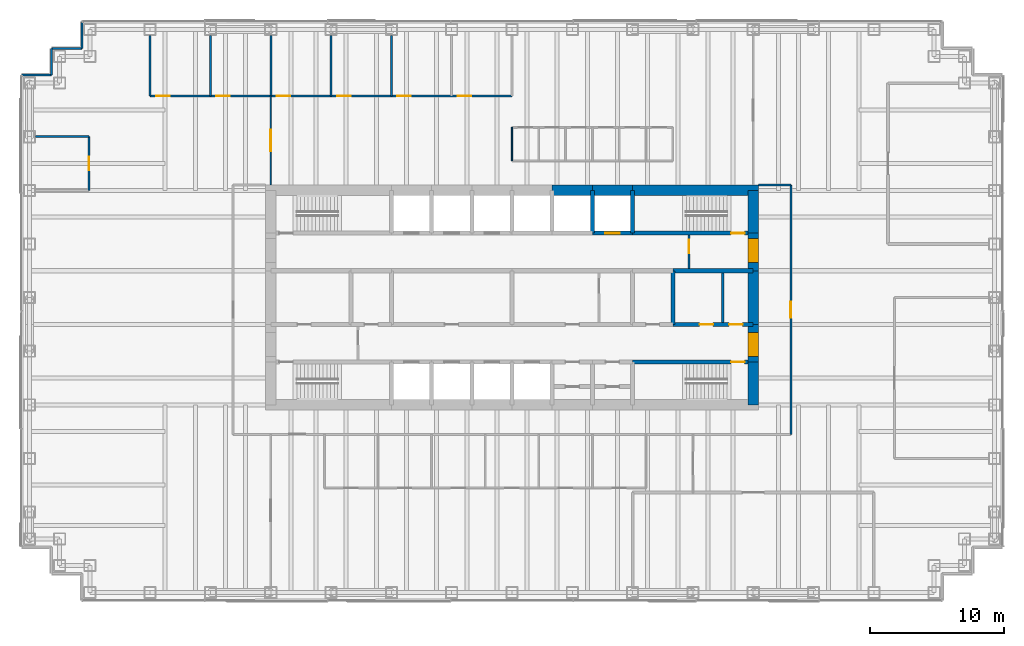
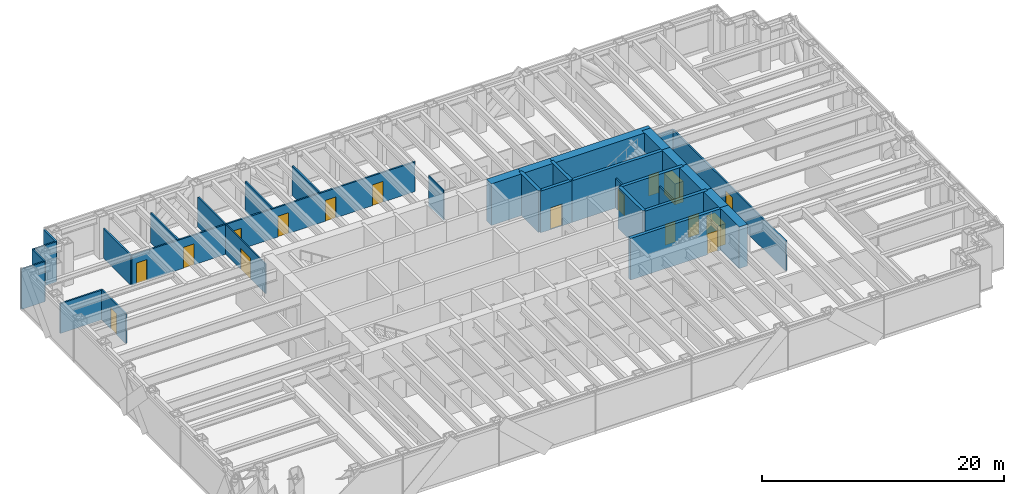
# One storey, part 12 of 14: 34 walls, 17 doors, 17 openings.
"""IFC4 building model written with IfcOpenShell, lengths in metres."""

import ifcopenshell
import ifcopenshell.guid

model = None  # the IFC model being written
_history = None  # IfcOwnerHistory: only IFC2X3 demands one
_inside = {}  # id of a spatial element -> (the spatial element, [elements in it])
_under = {}  # id of a project, library or spatial element -> (it, [spatial elements below it])
_declared = {}  # id of a project -> (the project, [libraries it declares])
_typed = {}  # id of a type object -> (the type object, [elements of that type])
_made_of = {}  # id of a material, layer set ... -> (it, [elements and type objects made of it])


def new_model(schema):
    """Start an empty IFC model of exactly this schema.

    Asked for "IFC4X3", IfcOpenShell would pick the latest addendum, in which some entities
    have other attributes; the version numbers below select the first issue.
    IFC2X3 requires an IfcOwnerHistory on every rooted entity: one is made here for all.
    """
    global model, _history
    if schema == "IFC4X3":
        model = ifcopenshell.file(schema_version=(4, 3, 0, 0))
    else:
        model = ifcopenshell.file(schema=schema)
    _inside.clear()
    _under.clear()
    _declared.clear()
    _typed.clear()
    _made_of.clear()
    _history = None
    if model.schema == "IFC2X3":
        org = make("IfcOrganization", Name="unknown")
        user = make(
            "IfcPersonAndOrganization",
            ThePerson=make("IfcPerson", FamilyName="unknown"),
            TheOrganization=org,
        )
        app = make(
            "IfcApplication",
            ApplicationDeveloper=org,
            Version="unknown",
            ApplicationFullName="unknown",
            ApplicationIdentifier="unknown",
        )
        _history = make(
            "IfcOwnerHistory",
            OwningUser=user,
            OwningApplication=app,
            ChangeAction="ADDED",
            CreationDate=0,
        )
    return model


def make(cls, **values):
    """One entity of the class cls with the attributes given. An attribute that is None is left unset."""
    return model.create_entity(
        cls, **{name: value for name, value in values.items() if value is not None}
    )


def rooted(cls, **values):
    """An entity with a GlobalId (a new one), such as an element, a storey or a relation."""
    return make(cls, GlobalId=ifcopenshell.guid.new(), OwnerHistory=_history, **values)


def si_unit(unit_type, name, prefix=None):
    """IfcSIUnit, for example si_unit("LENGTHUNIT", "METRE", prefix="MILLI")."""
    return make("IfcSIUnit", UnitType=unit_type, Prefix=prefix, Name=name)


def assignment(units):
    """IfcUnitAssignment: the units of a project."""
    return None if units is None else make("IfcUnitAssignment", Units=units)


def point(xyz):
    """IfcCartesianPoint."""
    return None if xyz is None else make("IfcCartesianPoint", Coordinates=xyz)


def direction(xyz):
    """IfcDirection."""
    return None if xyz is None else make("IfcDirection", DirectionRatios=xyz)


def frame(location, z_axis=None, x_axis=None):
    """IfcAxis2Placement3D, a coordinate frame: its origin and axes. An axis left out is left unset."""
    return make(
        "IfcAxis2Placement3D",
        Location=point(location),
        Axis=direction(z_axis),
        RefDirection=direction(x_axis),
    )


def frame_2d(location, x_axis=None):
    """IfcAxis2Placement2D, a coordinate frame in the plane: its origin and x axis."""
    return make(
        "IfcAxis2Placement2D", Location=point(location), RefDirection=direction(x_axis)
    )


def origin():
    """The frame at (0, 0, 0) with its axes left unset."""
    return frame((0.0, 0.0, 0.0))


def place(relative_to, where):
    """IfcLocalPlacement: puts the frame where relative to a parent placement (None: the world)."""
    return make(
        "IfcLocalPlacement", PlacementRelTo=relative_to, RelativePlacement=where
    )


def context(
    kind, dimensions, precision=None, world=None, true_north=None, identifier=None
):
    """IfcGeometricRepresentationContext, for example the 3D "Model" context."""
    return make(
        "IfcGeometricRepresentationContext",
        ContextIdentifier=identifier,
        ContextType=kind,
        CoordinateSpaceDimension=dimensions,
        Precision=precision,
        WorldCoordinateSystem=world,
        TrueNorth=true_north,
    )


def subcontext(parent, identifier, kind, view, scale=None):
    """IfcGeometricRepresentationSubContext, for example "Body" below "Model"."""
    return make(
        "IfcGeometricRepresentationSubContext",
        ContextIdentifier=identifier,
        ContextType=kind,
        ParentContext=parent,
        TargetScale=scale,
        TargetView=view,
    )


def project(units=None, contexts=None):
    """IfcProject with its units and contexts."""
    return rooted(
        "IfcProject",
        Name="project",
        RepresentationContexts=contexts,
        UnitsInContext=assignment(units),
    )


def spatial(cls, under=None, at=None, **own):
    """A site, building, storey or space (cls), placed at a placement, below another one or the project."""
    s = rooted(cls, ObjectPlacement=at, **own)
    if under is not None:
        _under.setdefault(under.id(), (under, []))[1].append(s)
    return s


def profile(cls, at=None, kind="AREA", **sizes):
    """A parametric profile (cls). Its sizes go by their IFC names, for example OverallWidth=200.0."""
    return make(cls, ProfileType=kind, Position=at, **sizes)


def rectangle(**sizes):
    """IfcRectangleProfileDef."""
    return profile("IfcRectangleProfileDef", **sizes)


def extrude(swept, where, along, depth):
    """IfcExtrudedAreaSolid: the profile swept, set in the frame where, extruded along a direction by depth."""
    return make(
        "IfcExtrudedAreaSolid",
        SweptArea=swept,
        Position=where,
        ExtrudedDirection=direction(along),
        Depth=depth,
    )


def shape(context_of_items, identifier, shape_type, items):
    """IfcShapeRepresentation: the items that make up one representation, for example the "Body"."""
    return make(
        "IfcShapeRepresentation",
        ContextOfItems=context_of_items,
        RepresentationIdentifier=identifier,
        RepresentationType=shape_type,
        Items=items,
    )


def material(Name=None, Category=None):
    """IfcMaterial."""
    return make("IfcMaterial", Name=Name, Category=Category)


def layer(
    of_material, thickness, ventilated=None, Name=None, Category=None, Priority=None
):
    """IfcMaterialLayer: one layer of a wall or slab, of a material (None: an air gap)."""
    return make(
        "IfcMaterialLayer",
        Material=of_material,
        LayerThickness=thickness,
        IsVentilated=ventilated,
        Name=Name,
        Category=Category,
        Priority=Priority,
    )


def layer_set(layers, Name=None):
    """IfcMaterialLayerSet."""
    return make("IfcMaterialLayerSet", MaterialLayers=layers, LayerSetName=Name)


def made_of(thing, what):
    """Note that an element or type object is made of a material, layer set ...; save() writes the relation."""
    if what is not None:
        _made_of.setdefault(what.id(), (what, []))[1].append(thing)
    return thing


def type_object(cls, material=None, **own):
    """A type object (cls), such as IfcWallType, which elements share."""
    return made_of(rooted(cls, **own), material)


def element(
    cls,
    number,
    at=None,
    inside=None,
    cuts=None,
    type_object=None,
    material=None,
    context=None,
    identifier="Body",
    shape_type=None,
    held_by="IfcProductDefinitionShape",
    body=None,
    shapes=None,
    **own,
):
    """One element of the class cls, such as IfcWall. Its Tag is "e" and its number.

    at: its placement. inside: the storey or other place that contains it. cuts: it is an
    opening in that element (IfcRelVoidsElement). A single representation is given by context,
    identifier, shape_type and body (its items); several are given by shapes. held_by: the class
    of the entity that holds the representations. save() writes the other relations.
    """
    e = rooted(cls, Tag="e%d" % number, ObjectPlacement=at, **own)
    if body is not None:
        shapes = [shape(context, identifier, shape_type, body)]
    if shapes is not None:
        e.Representation = make(held_by, Representations=shapes)
    if inside is not None:
        _inside.setdefault(inside.id(), (inside, []))[1].append(e)
    if cuts is not None:
        rooted(
            "IfcRelVoidsElement", RelatingBuildingElement=cuts, RelatedOpeningElement=e
        )
    if type_object is not None:
        _typed.setdefault(type_object.id(), (type_object, []))[1].append(e)
    return made_of(e, material)


def fill(opening, filler):
    """IfcRelFillsElement: the door or window that sits in an opening."""
    return rooted(
        "IfcRelFillsElement",
        RelatingOpeningElement=opening,
        RelatedBuildingElement=filler,
    )


def aggregate(whole, parts):
    """IfcRelAggregates: a whole, such as a stair, and the parts it consists of."""
    return rooted("IfcRelAggregates", RelatingObject=whole, RelatedObjects=parts)


def save(model, path):
    """Write the relations noted so far, then the file.

    IfcRelAggregates (storeys below a building ...), IfcRelContainedInSpatialStructure (elements
    in a storey), IfcRelDefinesByType, IfcRelAssociatesMaterial and IfcRelDeclares: one each for
    every whole, place, type object, material and project.
    """
    for whole, parts in _under.values():
        aggregate(whole, parts)
    for where, things in _inside.values():
        rooted(
            "IfcRelContainedInSpatialStructure",
            RelatedElements=things,
            RelatingStructure=where,
        )
    for kind, things in _typed.values():
        rooted("IfcRelDefinesByType", RelatedObjects=things, RelatingType=kind)
    for what, things in _made_of.values():
        rooted("IfcRelAssociatesMaterial", RelatedObjects=things, RelatingMaterial=what)
    for by, libraries in _declared.values():
        rooted("IfcRelDeclares", RelatingContext=by, RelatedDefinitions=libraries)
    model.write(path)


model = new_model("IFC4")

# Units and contexts
model_context = context("Model", 3, precision=1e-05, world=origin(), true_north=direction((0.0, 1.0)))
body_context = subcontext(model_context, "Body", "Model", "MODEL_VIEW")
ifc_project = project(units=[si_unit("LENGTHUNIT", "METRE"), si_unit("AREAUNIT", "SQUARE_METRE"), si_unit("VOLUMEUNIT", "CUBIC_METRE"), si_unit("PLANEANGLEUNIT", "RADIAN"), si_unit("MASSUNIT", "GRAM", prefix="KILO")], contexts=[model_context])

# Site, building, storey
site_placement = place(None, origin())
site = spatial("IfcSite", under=ifc_project, at=site_placement, CompositionType="ELEMENT")
building_placement = place(site_placement, origin())
building = spatial("IfcBuilding", under=site, at=building_placement, Name="Rheinbord Bourse Tower", CompositionType="ELEMENT")
storey_placement = place(building_placement, frame((0.0, 0.0, 253.0)))
storey = spatial("IfcBuildingStorey", under=building, at=storey_placement, Name="L57", CompositionType="ELEMENT", Elevation=253.0)

# Wall, opening, door
ifc_material_1 = material(Name="Concrete C50/60", Category="concrete")
ifc_layer_1 = layer(ifc_material_1, 0.300048828125)
ifc_layer_set_1 = layer_set([ifc_layer_1], Name="CORE INNER WALL 300")
wall_type_1 = type_object("IfcWallType", Name="CORE INNER WALL 300", PredefinedType="SOLIDWALL", material=ifc_layer_set_1)
wall_1_placement = place(storey_placement, frame((45.0, 19.199951171875, 0.0), z_axis=(0.0, 0.0, 1.0), x_axis=(1.0, 0.0, 0.0)))
wall_1 = element("IfcWall", 1, at=wall_1_placement, inside=storey, type_object=wall_type_1, Name="Core wall A8 L57", PredefinedType="SOLIDWALL", context=body_context, shape_type="SweptSolid", body=[
    extrude(rectangle(XDim=9.0, YDim=0.300048828125, at=frame_2d((4.5, 0.0))), origin(), (0.0, 0.0, 1.0), 4.199951171875),
])
opening_1_placement = place(wall_1_placement, frame((7.35009765625, 0.0, 0.0)))
opening_1 = element("IfcOpeningElement", 2, at=opening_1_placement, cuts=wall_1, Name="Opening 5730", PredefinedType="OPENING", context=body_context, shape_type="SweptSolid", body=[
    extrude(rectangle(XDim=1.0, YDim=2.10009765625, at=frame_2d((0.5, 1.050048828125))), frame((0.0, 0.159912109375, 0.0), z_axis=(0.0, -1.0, 0.0), x_axis=(1.0, 0.0, 0.0)), (0.0, 0.0, 1.0), 0.320068359375),
])
ifc_material_2 = material(Name="Steel door", Category="steel")
door_type_1 = type_object("IfcDoorType", Name="DOOR 1000 EI30", OperationType="SINGLE_SWING_LEFT", PredefinedType="DOOR", material=ifc_material_2)
door_1_placement = place(opening_1_placement, origin())
door_1 = element("IfcDoor", 3, at=door_1_placement, inside=storey, type_object=door_type_1, Name="Stair door ST3 L57", OperationType="SINGLE_SWING_RIGHT", OverallHeight=2.10009765625, OverallWidth=1.0, PredefinedType="DOOR", context=body_context, shape_type="SweptSolid", body=[
    extrude(rectangle(XDim=1.0, YDim=2.10009765625, at=frame_2d((0.5, 1.050048828125))), frame((0.0, 0.02490234375, 0.0), z_axis=(0.0, -1.0, 0.0), x_axis=(1.0, 0.0, 0.0)), (0.0, 0.0, 1.0), 0.050048828125),
])
fill(opening_1, door_1)

wall_2_placement = place(storey_placement, frame((42.0, 28.800048828125, 0.0), z_axis=(0.0, 0.0, 1.0), x_axis=(1.0, 0.0, 0.0)))
wall_2 = element("IfcWall", 4, at=wall_2_placement, inside=storey, type_object=wall_type_1, Name="Core wall B7 L57", PredefinedType="SOLIDWALL", context=body_context, shape_type="SweptSolid", body=[
    extrude(rectangle(XDim=3.0, YDim=0.300048828125, at=frame_2d((1.5, 0.0))), origin(), (0.0, 0.0, 1.0), 4.199951171875),
])
opening_2_placement = place(wall_2_placement, frame((0.949951171875, 0.0, 0.0)))
opening_2 = element("IfcOpeningElement", 5, at=opening_2_placement, cuts=wall_2, Name="Opening FL2", PredefinedType="OPENING", context=body_context, shape_type="SweptSolid", body=[
    extrude(rectangle(XDim=1.10009765625, YDim=2.199951171875, at=frame_2d((0.550048828125, 1.10009765625))), frame((0.0, 0.159912109375, 0.0), z_axis=(0.0, -1.0, 0.0), x_axis=(1.0, 0.0, 0.0)), (0.0, 0.0, 1.0), 0.320068359375),
])
ifc_material_3 = material(Name="Steel landing door", Category="steel")
door_type_2 = type_object("IfcDoorType", Name="LIFT LANDING DOOR 1100", OperationType="DOUBLE_DOOR_SLIDING", PredefinedType="USERDEFINED", material=ifc_material_3)
door_2_placement = place(opening_2_placement, origin())
door_2 = element("IfcDoor", 6, at=door_2_placement, inside=storey, type_object=door_type_2, Name="Lift landing door FL2 L57", ObjectType="LIFT LANDING DOOR", OperationType="DOUBLE_DOOR_SLIDING", OverallHeight=2.199951171875, OverallWidth=1.10009765625, PredefinedType="USERDEFINED", context=body_context, shape_type="SweptSolid", body=[
    extrude(rectangle(XDim=1.10009765625, YDim=2.199951171875, at=frame_2d((0.550048828125, 1.10009765625))), frame((0.0, 0.02490234375, 0.0), z_axis=(0.0, -1.0, 0.0), x_axis=(1.0, 0.0, 0.0)), (0.0, 0.0, 1.0), 0.050048828125),
])
fill(opening_2, door_2)

wall_3_placement = place(storey_placement, frame((45.0, 28.800048828125, 0.0), z_axis=(0.0, 0.0, 1.0), x_axis=(1.0, 0.0, 0.0)))
wall_3 = element("IfcWall", 7, at=wall_3_placement, inside=storey, type_object=wall_type_1, Name="Core wall B8 L57", PredefinedType="SOLIDWALL", context=body_context, shape_type="SweptSolid", body=[
    extrude(rectangle(XDim=9.0, YDim=0.300048828125, at=frame_2d((4.5, 0.0))), origin(), (0.0, 0.0, 1.0), 4.199951171875),
])
opening_3_placement = place(wall_3_placement, frame((7.35009765625, 0.0, 0.0)))
opening_3 = element("IfcOpeningElement", 8, at=opening_3_placement, cuts=wall_3, Name="Opening 5740", PredefinedType="OPENING", context=body_context, shape_type="SweptSolid", body=[
    extrude(rectangle(XDim=1.0, YDim=2.10009765625, at=frame_2d((0.5, 1.050048828125))), frame((0.0, 0.159912109375, 0.0), z_axis=(0.0, -1.0, 0.0), x_axis=(1.0, 0.0, 0.0)), (0.0, 0.0, 1.0), 0.320068359375),
])
door_3_placement = place(opening_3_placement, origin())
door_3 = element("IfcDoor", 9, at=door_3_placement, inside=storey, type_object=door_type_1, Name="Stair door ST4 L57", OperationType="SINGLE_SWING_RIGHT", OverallHeight=2.10009765625, OverallWidth=1.0, PredefinedType="DOOR", context=body_context, shape_type="SweptSolid", body=[
    extrude(rectangle(XDim=1.0, YDim=2.10009765625, at=frame_2d((0.5, 1.050048828125))), frame((0.0, 0.02490234375, 0.0), z_axis=(0.0, -1.0, 0.0), x_axis=(1.0, 0.0, 0.0)), (0.0, 0.0, 1.0), 0.050048828125),
])
fill(opening_3, door_3)

# Wall, openings, doors
wall_4_placement = place(storey_placement, frame((48.0, 22.0, 0.0), z_axis=(0.0, 0.0, 1.0), x_axis=(1.0, 0.0, 0.0)))
wall_4 = element("IfcWall", 10, at=wall_4_placement, inside=storey, type_object=wall_type_1, Name="Core wall C6 L57", PredefinedType="SOLIDWALL", context=body_context, shape_type="SweptSolid", body=[
    extrude(rectangle(XDim=6.0, YDim=0.300048828125, at=frame_2d((3.0, 0.0))), origin(), (0.0, 0.0, 1.0), 4.199951171875),
])
opening_4_placement = place(wall_4_placement, frame((2.0, 0.0, 0.0)))
opening_4 = element("IfcOpeningElement", 11, at=opening_4_placement, cuts=wall_4, Name="Opening 57R6", PredefinedType="OPENING", context=body_context, shape_type="SweptSolid", body=[
    extrude(rectangle(XDim=1.0, YDim=2.10009765625, at=frame_2d((0.5, 1.050048828125))), frame((0.0, 0.159912109375, 0.0), z_axis=(0.0, -1.0, 0.0), x_axis=(1.0, 0.0, 0.0)), (0.0, 0.0, 1.0), 0.320068359375),
])
opening_5_placement = place(wall_4_placement, frame((4.199951171875, 0.0, 0.0)))
opening_5 = element("IfcOpeningElement", 12, at=opening_5_placement, cuts=wall_4, Name="Opening 57R10", PredefinedType="OPENING", context=body_context, shape_type="SweptSolid", body=[
    extrude(rectangle(XDim=1.0, YDim=2.10009765625, at=frame_2d((0.5, 1.050048828125))), frame((0.0, 0.159912109375, 0.0), z_axis=(0.0, -1.0, 0.0), x_axis=(1.0, 0.0, 0.0)), (0.0, 0.0, 1.0), 0.320068359375),
])
door_4_placement = place(opening_5_placement, origin())
door_4 = element("IfcDoor", 13, at=door_4_placement, inside=storey, type_object=door_type_1, Name="Baby change door L57", OperationType="SINGLE_SWING_RIGHT", OverallHeight=2.10009765625, OverallWidth=1.0, PredefinedType="DOOR", context=body_context, shape_type="SweptSolid", body=[
    extrude(rectangle(XDim=1.0, YDim=2.10009765625, at=frame_2d((0.5, 1.050048828125))), frame((0.0, 0.02490234375, 0.0), z_axis=(0.0, -1.0, 0.0), x_axis=(1.0, 0.0, 0.0)), (0.0, 0.0, 1.0), 0.050048828125),
])
fill(opening_5, door_4)
ifc_material_4 = material(Name="Timber door", Category="wood")
door_type_3 = type_object("IfcDoorType", Name="DOOR 1000 WC", OperationType="SINGLE_SWING_LEFT", PredefinedType="DOOR", material=ifc_material_4)
door_5_placement = place(opening_4_placement, origin())
door_5 = element("IfcDoor", 14, at=door_5_placement, inside=storey, type_object=door_type_3, Name="WC women door L57", OperationType="SINGLE_SWING_LEFT", OverallHeight=2.10009765625, OverallWidth=1.0, PredefinedType="DOOR", context=body_context, shape_type="SweptSolid", body=[
    extrude(rectangle(XDim=1.0, YDim=2.10009765625, at=frame_2d((0.5, 1.050048828125))), frame((0.0, 0.02490234375, 0.0), z_axis=(0.0, -1.0, 0.0), x_axis=(1.0, 0.0, 0.0)), (0.0, 0.0, 1.0), 0.050048828125),
])
fill(opening_4, door_5)

# Walls
wall_5_placement = place(storey_placement, frame((48.0, 26.0, 0.0), z_axis=(0.0, 0.0, 1.0), x_axis=(1.0, 0.0, 0.0)))
element("IfcWall", 15, at=wall_5_placement, inside=storey, type_object=wall_type_1, Name="Core wall D6 L57", PredefinedType="SOLIDWALL", context=body_context, shape_type="SweptSolid", body=[
    extrude(rectangle(XDim=6.0, YDim=0.300048828125, at=frame_2d((3.0, 0.0))), origin(), (0.0, 0.0, 1.0), 4.199951171875),
])
for number, where, z_axis, x_axis, name in (
    (16, (42.0, 28.800048828125, 0.0), (0.0, 0.0, 1.0), (0.0, 1.0, 0.0), "Core wall NX42 L57"),
    (17, (45.0, 28.800048828125, 0.0), (0.0, 0.0, 1.0), (0.0, 1.0, 0.0), "Core wall NX45 L57"),
):
    element("IfcWall", number, at=place(storey_placement, frame(where, z_axis=z_axis, x_axis=x_axis)), inside=storey, type_object=wall_type_1, Name=name, PredefinedType="SOLIDWALL", context=body_context, shape_type="SweptSolid", body=[
        extrude(rectangle(XDim=3.199951171875, YDim=0.300048828125, at=frame_2d((1.60009765625, 0.0))), origin(), (0.0, 0.0, 1.0), 4.199951171875),
    ])
wall_6_placement = place(storey_placement, frame((48.0, 22.0, 0.0), z_axis=(0.0, 0.0, 1.0), x_axis=(0.0, 1.0, 0.0)))
element("IfcWall", 18, at=wall_6_placement, inside=storey, type_object=wall_type_1, Name="Core wall MX48 L57", PredefinedType="SOLIDWALL", context=body_context, shape_type="SweptSolid", body=[
    extrude(rectangle(XDim=4.0, YDim=0.300048828125, at=frame_2d((2.0, 0.0))), origin(), (0.0, 0.0, 1.0), 4.199951171875),
])
ifc_material_5 = material(Name="Gypsum board fire partition", Category="gypsum board")
ifc_layer_2 = layer(ifc_material_5, 0.14990234375)
ifc_layer_set_2 = layer_set([ifc_layer_2], Name="CORE PARTITION 150 EI30")
wall_type_2 = type_object("IfcWallType", Name="CORE PARTITION 150 EI30", PredefinedType="PARTITIONING", material=ifc_layer_set_2)
wall_7_placement = place(storey_placement, frame((51.72509765625, 22.14990234375, 0.0), z_axis=(0.0, 0.0, 1.0), x_axis=(0.0, 1.0, 0.0)))
element("IfcWall", 19, at=wall_7_placement, inside=storey, type_object=wall_type_2, Name="Core partition L57-3", PredefinedType="PARTITIONING", context=body_context, shape_type="SweptSolid", body=[
    extrude(rectangle(XDim=3.7001953125, YDim=0.14990234375, at=frame_2d((1.85009765625, 0.0))), origin(), (0.0, 0.0, 1.0), 3.0),
])

# Wall, opening, door
wall_8_placement = place(storey_placement, frame((49.199951171875, 26.14990234375, 0.0), z_axis=(0.0, 0.0, 1.0), x_axis=(0.0, 1.0, 0.0)))
wall_8 = element("IfcWall", 20, at=wall_8_placement, inside=storey, type_object=wall_type_2, Name="Core partition L57-5", PredefinedType="PARTITIONING", context=body_context, shape_type="SweptSolid", body=[
    extrude(rectangle(XDim=2.5, YDim=0.14990234375, at=frame_2d((1.25, 0.0))), origin(), (0.0, 0.0, 1.0), 3.0),
])
opening_6_placement = place(wall_8_placement, frame((1.14990234375, 0.0, 0.0)))
opening_6 = element("IfcOpeningElement", 21, at=opening_6_placement, cuts=wall_8, Name="Opening 57L6", PredefinedType="OPENING", context=body_context, shape_type="SweptSolid", body=[
    extrude(rectangle(XDim=1.0, YDim=2.10009765625, at=frame_2d((0.5, 1.050048828125))), frame((0.0, 0.0849609375, 0.0), z_axis=(0.0, -1.0, 0.0), x_axis=(1.0, 0.0, 0.0)), (0.0, 0.0, 1.0), 0.169921875),
])
door_6_placement = place(opening_6_placement, origin())
door_6 = element("IfcDoor", 22, at=door_6_placement, inside=storey, type_object=door_type_1, Name="Stair lobby door L57", OperationType="SINGLE_SWING_RIGHT", OverallHeight=2.10009765625, OverallWidth=1.0, PredefinedType="DOOR", context=body_context, shape_type="SweptSolid", body=[
    extrude(rectangle(XDim=1.0, YDim=2.10009765625, at=frame_2d((0.5, 1.050048828125))), frame((0.0, 0.02490234375, 0.0), z_axis=(0.0, -1.0, 0.0), x_axis=(1.0, 0.0, 0.0)), (0.0, 0.0, 1.0), 0.050048828125),
])
fill(opening_6, door_6)

# Walls
ifc_material_6 = material(Name="Concrete C50/60", Category="concrete")
ifc_layer_3 = layer(ifc_material_6, 0.800048828125)
ifc_layer_set_3 = layer_set([ifc_layer_3], Name="CORE WALL 800")
wall_type_3 = type_object("IfcWallType", Name="CORE WALL 800", PredefinedType="SHEAR", material=ifc_layer_set_3)
wall_9_placement = place(storey_placement, frame((54.39990234375, 32.0, 0.0), z_axis=(0.0, 0.0, 1.0), x_axis=(-1.0, 0.0, 0.0)))
element("IfcWall", 23, at=wall_9_placement, inside=storey, type_object=wall_type_3, Name="Core wall N1 L57", PredefinedType="SHEAR", context=body_context, shape_type="SweptSolid", body=[
    extrude(rectangle(XDim=9.39990234375, YDim=0.800048828125, at=frame_2d((4.699951171875, 0.0))), origin(), (0.0, 0.0, 1.0), 4.199951171875),
])
for number, where, z_axis, x_axis, name in (
    (24, (45.0, 32.0, 0.0), (0.0, 0.0, 1.0), (-1.0, 0.0, 0.0), "Core wall N2 L57"),
    (25, (42.0, 32.0, 0.0), (0.0, 0.0, 1.0), (-1.0, 0.0, 0.0), "Core wall N3 L57"),
):
    element("IfcWall", number, at=place(storey_placement, frame(where, z_axis=z_axis, x_axis=x_axis)), inside=storey, type_object=wall_type_3, Name=name, PredefinedType="SHEAR", context=body_context, shape_type="SweptSolid", body=[
        extrude(rectangle(XDim=3.0, YDim=0.800048828125, at=frame_2d((1.5, 0.0))), origin(), (0.0, 0.0, 1.0), 4.199951171875),
    ])
wall_10_placement = place(storey_placement, frame((54.0, 16.0, 0.0), z_axis=(0.0, 0.0, 1.0), x_axis=(0.0, 1.0, 0.0)))
element("IfcWall", 26, at=wall_10_placement, inside=storey, type_object=wall_type_3, Name="Core wall E1 L57", PredefinedType="SHEAR", context=body_context, shape_type="SweptSolid", body=[
    extrude(rectangle(XDim=3.199951171875, YDim=0.800048828125, at=frame_2d((1.60009765625, 0.0))), origin(), (0.0, 0.0, 1.0), 4.199951171875),
])

# Wall, opening, door
wall_11_placement = place(storey_placement, frame((54.0, 19.199951171875, 0.0), z_axis=(0.0, 0.0, 1.0), x_axis=(0.0, 1.0, 0.0)))
wall_11 = element("IfcWall", 27, at=wall_11_placement, inside=storey, type_object=wall_type_3, Name="Core wall E2 L57", PredefinedType="SHEAR", context=body_context, shape_type="SweptSolid", body=[
    extrude(rectangle(XDim=2.800048828125, YDim=0.800048828125, at=frame_2d((1.39990234375, 0.0))), origin(), (0.0, 0.0, 1.0), 4.199951171875),
])
opening_7_placement = place(wall_11_placement, frame((0.39990234375, 0.0, 0.0)))
opening_7 = element("IfcOpeningElement", 28, at=opening_7_placement, cuts=wall_11, Name="Opening 57L3", PredefinedType="OPENING", context=body_context, shape_type="SweptSolid", body=[
    extrude(rectangle(XDim=1.800048828125, YDim=2.10009765625, at=frame_2d((0.89990234375, 1.050048828125))), frame((0.0, 0.409912109375, 0.0), z_axis=(0.0, -1.0, 0.0), x_axis=(1.0, 0.0, 0.0)), (0.0, 0.0, 1.0), 0.820068359375),
])
ifc_material_7 = material(Name="Steel door", Category="steel")
door_type_4 = type_object("IfcDoorType", Name="DOOR 1800 EI30 DOUBLE", OperationType="DOUBLE_DOOR_DOUBLE_SWING", PredefinedType="DOOR", material=ifc_material_7)
door_7_placement = place(opening_7_placement, origin())
door_7 = element("IfcDoor", 29, at=door_7_placement, inside=storey, type_object=door_type_4, Name="Lobby door 3 L57", OperationType="SINGLE_SWING_LEFT", OverallHeight=2.10009765625, OverallWidth=1.800048828125, PredefinedType="DOOR", context=body_context, shape_type="SweptSolid", body=[
    extrude(rectangle(XDim=1.800048828125, YDim=2.10009765625, at=frame_2d((0.89990234375, 1.050048828125))), frame((0.0, 0.39990234375, 0.0), z_axis=(0.0, -1.0, 0.0), x_axis=(1.0, 0.0, 0.0)), (0.0, 0.0, 1.0), 0.799560546875),
])
fill(opening_7, door_7)

# Wall
wall_12_placement = place(storey_placement, frame((54.0, 22.0, 0.0), z_axis=(0.0, 0.0, 1.0), x_axis=(0.0, 1.0, 0.0)))
element("IfcWall", 30, at=wall_12_placement, inside=storey, type_object=wall_type_3, Name="Core wall E3 L57", PredefinedType="SHEAR", context=body_context, shape_type="SweptSolid", body=[
    extrude(rectangle(XDim=4.0, YDim=0.800048828125, at=frame_2d((2.0, 0.0))), origin(), (0.0, 0.0, 1.0), 4.199951171875),
])

# Wall, opening, door
wall_13_placement = place(storey_placement, frame((54.0, 26.0, 0.0), z_axis=(0.0, 0.0, 1.0), x_axis=(0.0, 1.0, 0.0)))
wall_13 = element("IfcWall", 31, at=wall_13_placement, inside=storey, type_object=wall_type_3, Name="Core wall E4 L57", PredefinedType="SHEAR", context=body_context, shape_type="SweptSolid", body=[
    extrude(rectangle(XDim=2.800048828125, YDim=0.800048828125, at=frame_2d((1.39990234375, 0.0))), origin(), (0.0, 0.0, 1.0), 4.199951171875),
])
opening_8_placement = place(wall_13_placement, frame((0.60009765625, 0.0, 0.0)))
opening_8 = element("IfcOpeningElement", 32, at=opening_8_placement, cuts=wall_13, Name="Opening 57L4", PredefinedType="OPENING", context=body_context, shape_type="SweptSolid", body=[
    extrude(rectangle(XDim=1.800048828125, YDim=2.10009765625, at=frame_2d((0.89990234375, 1.050048828125))), frame((0.0, 0.409912109375, 0.0), z_axis=(0.0, -1.0, 0.0), x_axis=(1.0, 0.0, 0.0)), (0.0, 0.0, 1.0), 0.820068359375),
])
door_8_placement = place(opening_8_placement, origin())
door_8 = element("IfcDoor", 33, at=door_8_placement, inside=storey, type_object=door_type_4, Name="Lobby door 4 L57", OperationType="SINGLE_SWING_LEFT", OverallHeight=2.10009765625, OverallWidth=1.800048828125, PredefinedType="DOOR", context=body_context, shape_type="SweptSolid", body=[
    extrude(rectangle(XDim=1.800048828125, YDim=2.10009765625, at=frame_2d((0.89990234375, 1.050048828125))), frame((0.0, 0.39990234375, 0.0), z_axis=(0.0, -1.0, 0.0), x_axis=(1.0, 0.0, 0.0)), (0.0, 0.0, 1.0), 0.799560546875),
])
fill(opening_8, door_8)

# Walls
wall_14_placement = place(storey_placement, frame((54.0, 28.800048828125, 0.0), z_axis=(0.0, 0.0, 1.0), x_axis=(0.0, 1.0, 0.0)))
element("IfcWall", 34, at=wall_14_placement, inside=storey, type_object=wall_type_3, Name="Core wall E5 L57", PredefinedType="SHEAR", context=body_context, shape_type="SweptSolid", body=[
    extrude(rectangle(XDim=3.199951171875, YDim=0.800048828125, at=frame_2d((1.60009765625, 0.0))), origin(), (0.0, 0.0, 1.0), 4.199951171875),
])
ifc_material_8 = material(Name="Black metal rainscreen panel", Category="aluminium")
ifc_layer_4 = layer(ifc_material_8, 0.14990234375)
ifc_layer_set_4 = layer_set([ifc_layer_4], Name="CORNER PIER CLADDING 150")
wall_type_4 = type_object("IfcWallType", Name="CORNER PIER CLADDING 150", PredefinedType="ELEMENTEDWALL", material=ifc_layer_set_4)
wall_15_placement = place(storey_placement, frame((3.89990234375, 44.60009765625, 0.0), z_axis=(0.0, 0.0, 1.0), x_axis=(0.0, -1.0, 0.0)))
element("IfcWall", 35, at=wall_15_placement, inside=storey, type_object=wall_type_4, Name="Corner pier cladding L57 12", PredefinedType="ELEMENTEDWALL", context=body_context, shape_type="SweptSolid", body=[
    extrude(rectangle(XDim=2.0, YDim=0.14990234375, at=frame_2d((1.0, 0.0))), origin(), (0.0, 0.0, 1.0), 4.0400390625),
])
wall_16_placement = place(storey_placement, frame((3.89990234375, 42.60009765625, 0.0), z_axis=(0.0, 0.0, 1.0), x_axis=(-1.0, 0.0, 0.0)))
element("IfcWall", 36, at=wall_16_placement, inside=storey, type_object=wall_type_4, Name="Corner pier cladding L57 13", PredefinedType="ELEMENTEDWALL", context=body_context, shape_type="SweptSolid", body=[
    extrude(rectangle(XDim=2.25, YDim=0.14990234375, at=frame_2d((1.125, 0.0))), origin(), (0.0, 0.0, 1.0), 4.0400390625),
])
wall_17_placement = place(storey_placement, frame((1.64990234375, 42.60009765625, 0.0), z_axis=(0.0, 0.0, 1.0), x_axis=(0.0, -1.0, 0.0)))
element("IfcWall", 37, at=wall_17_placement, inside=storey, type_object=wall_type_4, Name="Corner pier cladding L57 14", PredefinedType="ELEMENTEDWALL", context=body_context, shape_type="SweptSolid", body=[
    extrude(rectangle(XDim=2.0, YDim=0.14990234375, at=frame_2d((1.0, 0.0))), origin(), (0.0, 0.0, 1.0), 4.0400390625),
])
wall_18_placement = place(storey_placement, frame((1.64990234375, 40.60009765625, 0.0), z_axis=(0.0, 0.0, 1.0), x_axis=(-1.0, 0.0, 0.0)))
element("IfcWall", 38, at=wall_18_placement, inside=storey, type_object=wall_type_4, Name="Corner pier cladding L57 15", PredefinedType="ELEMENTEDWALL", context=body_context, shape_type="SweptSolid", body=[
    extrude(rectangle(XDim=2.25, YDim=0.14990234375, at=frame_2d((1.125, 0.0))), origin(), (0.0, 0.0, 1.0), 4.0400390625),
])
ifc_material_9 = material(Name="Gypsum board corridor partition", Category="gypsum board")
ifc_layer_5 = layer(ifc_material_9, 0.14990234375)
ifc_layer_set_5 = layer_set([ifc_layer_5], Name="CORRIDOR PARTITION 150 EI30")
wall_type_5 = type_object("IfcWallType", Name="CORRIDOR PARTITION 150 EI30", PredefinedType="PARTITIONING", material=ifc_layer_set_5)
wall_19_placement = place(storey_placement, frame((54.39990234375, 32.39990234375, 0.0), z_axis=(0.0, 0.0, 1.0), x_axis=(1.0, 0.0, 0.0)))
element("IfcWall", 39, at=wall_19_placement, inside=storey, type_object=wall_type_5, Name="Partition L57-09", PredefinedType="PARTITIONING", context=body_context, shape_type="SweptSolid", body=[
    extrude(rectangle(XDim=2.400146484375, YDim=0.14990234375, at=frame_2d((1.2001953125, 0.0))), origin(), (0.0, 0.0, 1.0), 3.0),
])

# Wall, opening, door
wall_20_placement = place(storey_placement, frame((56.800048828125, 13.800048828125, 0.0), z_axis=(0.0, 0.0, 1.0), x_axis=(0.0, 1.0, 0.0)))
wall_20 = element("IfcWall", 40, at=wall_20_placement, inside=storey, type_object=wall_type_5, Name="Partition L57-43", PredefinedType="PARTITIONING", context=body_context, shape_type="SweptSolid", body=[
    extrude(rectangle(XDim=18.599853515625, YDim=0.14990234375, at=frame_2d((9.2998046875, 0.0))), origin(), (0.0, 0.0, 1.0), 3.0),
])
opening_9_placement = place(wall_20_placement, frame((8.699951171875, 0.0, 0.0)))
opening_9 = element("IfcOpeningElement", 41, at=opening_9_placement, cuts=wall_20, Name="Opening 57D28", PredefinedType="OPENING", context=body_context, shape_type="SweptSolid", body=[
    extrude(rectangle(XDim=1.199951171875, YDim=2.10009765625, at=frame_2d((0.60009765625, 1.050048828125))), frame((0.0, 0.0849609375, 0.0), z_axis=(0.0, -1.0, 0.0), x_axis=(1.0, 0.0, 0.0)), (0.0, 0.0, 1.0), 0.169921875),
])
ifc_material_10 = material(Name="Timber fire door", Category="wood")
door_type_5 = type_object("IfcDoorType", Name="SUITE ENTRANCE DOOR 1200 EI30", OperationType="SINGLE_SWING_LEFT", PredefinedType="DOOR", material=ifc_material_10)
door_9_placement = place(opening_9_placement, origin())
door_9 = element("IfcDoor", 42, at=door_9_placement, inside=storey, type_object=door_type_5, Name="Suite entrance 2 door L57", OperationType="SINGLE_SWING_LEFT", OverallHeight=2.10009765625, OverallWidth=1.199951171875, PredefinedType="DOOR", context=body_context, shape_type="SweptSolid", body=[
    extrude(rectangle(XDim=1.199951171875, YDim=2.10009765625, at=frame_2d((0.60009765625, 1.050048828125))), frame((0.0, 0.02490234375, 0.0), z_axis=(0.0, -1.0, 0.0), x_axis=(1.0, 0.0, 0.0)), (0.0, 0.0, 1.0), 0.050048828125),
])
fill(opening_9, door_9)

ifc_material_11 = material(Name="Toughened laminated glass partition", Category="glass")
ifc_layer_6 = layer(ifc_material_11, 0.10009765625)
ifc_layer_set_6 = layer_set([ifc_layer_6], Name="GLAZED PARTITION 100")
wall_type_6 = type_object("IfcWallType", Name="GLAZED PARTITION 100", PredefinedType="PARTITIONING", material=ifc_layer_set_6)
wall_21_placement = place(storey_placement, frame((18.0, 32.39990234375, 0.0), z_axis=(0.0, 0.0, 1.0), x_axis=(0.0, 1.0, 0.0)))
wall_21 = element("IfcWall", 43, at=wall_21_placement, inside=storey, type_object=wall_type_6, Name="Partition L57-20", PredefinedType="PARTITIONING", context=body_context, shape_type="SweptSolid", body=[
    extrude(rectangle(XDim=6.650146484375, YDim=0.10009765625, at=frame_2d((3.3251953125, 0.0))), origin(), (0.0, 0.0, 1.0), 3.0),
])
opening_10_placement = place(wall_21_placement, frame((2.52490234375, 0.0, 0.0)))
opening_10 = element("IfcOpeningElement", 44, at=opening_10_placement, cuts=wall_21, Name="Opening 57D24", PredefinedType="OPENING", context=body_context, shape_type="SweptSolid", body=[
    extrude(rectangle(XDim=1.60009765625, YDim=2.10009765625, at=frame_2d((0.800048828125, 1.050048828125))), frame((0.0, 0.06005859375, 0.0), z_axis=(0.0, -1.0, 0.0), x_axis=(1.0, 0.0, 0.0)), (0.0, 0.0, 1.0), 0.1201171875),
])
ifc_material_12 = material(Name="Timber door", Category="wood")
door_type_6 = type_object("IfcDoorType", Name="DOUBLE ROOM DOOR 1600", OperationType="DOUBLE_DOOR_DOUBLE_SWING", PredefinedType="DOOR", material=ifc_material_12)
door_10_placement = place(opening_10_placement, origin())
door_10 = element("IfcDoor", 45, at=door_10_placement, inside=storey, type_object=door_type_6, Name="Open area door L57", OperationType="SINGLE_SWING_LEFT", OverallHeight=2.10009765625, OverallWidth=1.60009765625, PredefinedType="DOOR", context=body_context, shape_type="SweptSolid", body=[
    extrude(rectangle(XDim=1.60009765625, YDim=2.10009765625, at=frame_2d((0.800048828125, 1.050048828125))), frame((0.0, 0.02490234375, 0.0), z_axis=(0.0, -1.0, 0.0), x_axis=(1.0, 0.0, 0.0)), (0.0, 0.0, 1.0), 0.050048828125),
])
fill(opening_10, door_10)

# Walls
wall_22_placement = place(storey_placement, frame((36.0, 34.199951171875, 0.0), z_axis=(0.0, 0.0, 1.0), x_axis=(0.0, 1.0, 0.0)))
element("IfcWall", 46, at=wall_22_placement, inside=storey, type_object=wall_type_6, Name="Partition L57-29", PredefinedType="PARTITIONING", context=body_context, shape_type="SweptSolid", body=[
    extrude(rectangle(XDim=2.5, YDim=0.10009765625, at=frame_2d((1.25, 0.0))), origin(), (0.0, 0.0, 1.0), 3.0),
])
ifc_material_13 = material(Name="Gypsum board partition", Category="gypsum board")
ifc_layer_7 = layer(ifc_material_13, 0.14990234375)
ifc_layer_set_7 = layer_set([ifc_layer_7], Name="PARTITION 150")
wall_type_7 = type_object("IfcWallType", Name="PARTITION 150", PredefinedType="PARTITIONING", material=ifc_layer_set_7)
wall_23_placement = place(storey_placement, frame((0.449951171875, 36.0, 0.0), z_axis=(0.0, 0.0, 1.0), x_axis=(1.0, 0.0, 0.0)))
element("IfcWall", 47, at=wall_23_placement, inside=storey, type_object=wall_type_7, Name="Partition L57-11", PredefinedType="PARTITIONING", context=body_context, shape_type="SweptSolid", body=[
    extrude(rectangle(XDim=4.0, YDim=0.14990234375, at=frame_2d((2.0, 0.0))), origin(), (0.0, 0.0, 1.0), 3.0),
])

# Wall, openings, doors
wall_24_placement = place(storey_placement, frame((9.0, 39.050048828125, 0.0), z_axis=(0.0, 0.0, 1.0), x_axis=(1.0, 0.0, 0.0)))
wall_24 = element("IfcWall", 48, at=wall_24_placement, inside=storey, type_object=wall_type_7, Name="Partition L57-13", PredefinedType="PARTITIONING", context=body_context, shape_type="SweptSolid", body=[
    extrude(rectangle(XDim=27.0, YDim=0.14990234375, at=frame_2d((13.5, 0.0))), origin(), (0.0, 0.0, 1.0), 3.0),
])
opening_11_placement = place(wall_24_placement, frame((0.449951171875, 0.0, 0.0)))
opening_11 = element("IfcOpeningElement", 49, at=opening_11_placement, cuts=wall_24, Name="Opening 57D17", PredefinedType="OPENING", context=body_context, shape_type="SweptSolid", body=[
    extrude(rectangle(XDim=1.0, YDim=2.10009765625, at=frame_2d((0.5, 1.050048828125))), frame((0.0, 0.0849609375, 0.0), z_axis=(0.0, -1.0, 0.0), x_axis=(1.0, 0.0, 0.0)), (0.0, 0.0, 1.0), 0.169921875),
])
opening_12_placement = place(wall_24_placement, frame((4.949951171875, 0.0, 0.0)))
opening_12 = element("IfcOpeningElement", 50, at=opening_12_placement, cuts=wall_24, Name="Opening 57D18", PredefinedType="OPENING", context=body_context, shape_type="SweptSolid", body=[
    extrude(rectangle(XDim=1.0, YDim=2.10009765625, at=frame_2d((0.5, 1.050048828125))), frame((0.0, 0.0849609375, 0.0), z_axis=(0.0, -1.0, 0.0), x_axis=(1.0, 0.0, 0.0)), (0.0, 0.0, 1.0), 0.169921875),
])
opening_13_placement = place(wall_24_placement, frame((9.449951171875, 0.0, 0.0)))
opening_13 = element("IfcOpeningElement", 51, at=opening_13_placement, cuts=wall_24, Name="Opening 57D19", PredefinedType="OPENING", context=body_context, shape_type="SweptSolid", body=[
    extrude(rectangle(XDim=1.0, YDim=2.10009765625, at=frame_2d((0.5, 1.050048828125))), frame((0.0, 0.0849609375, 0.0), z_axis=(0.0, -1.0, 0.0), x_axis=(1.0, 0.0, 0.0)), (0.0, 0.0, 1.0), 0.169921875),
])
opening_14_placement = place(wall_24_placement, frame((13.949951171875, 0.0, 0.0)))
opening_14 = element("IfcOpeningElement", 52, at=opening_14_placement, cuts=wall_24, Name="Opening 57D20", PredefinedType="OPENING", context=body_context, shape_type="SweptSolid", body=[
    extrude(rectangle(XDim=1.0, YDim=2.10009765625, at=frame_2d((0.5, 1.050048828125))), frame((0.0, 0.0849609375, 0.0), z_axis=(0.0, -1.0, 0.0), x_axis=(1.0, 0.0, 0.0)), (0.0, 0.0, 1.0), 0.169921875),
])
opening_15_placement = place(wall_24_placement, frame((18.449951171875, 0.0, 0.0)))
opening_15 = element("IfcOpeningElement", 53, at=opening_15_placement, cuts=wall_24, Name="Opening 57D21", PredefinedType="OPENING", context=body_context, shape_type="SweptSolid", body=[
    extrude(rectangle(XDim=1.0, YDim=2.10009765625, at=frame_2d((0.5, 1.050048828125))), frame((0.0, 0.0849609375, 0.0), z_axis=(0.0, -1.0, 0.0), x_axis=(1.0, 0.0, 0.0)), (0.0, 0.0, 1.0), 0.169921875),
])
opening_16_placement = place(wall_24_placement, frame((22.949951171875, 0.0, 0.0)))
opening_16 = element("IfcOpeningElement", 54, at=opening_16_placement, cuts=wall_24, Name="Opening 57D22", PredefinedType="OPENING", context=body_context, shape_type="SweptSolid", body=[
    extrude(rectangle(XDim=1.0, YDim=2.10009765625, at=frame_2d((0.5, 1.050048828125))), frame((0.0, 0.0849609375, 0.0), z_axis=(0.0, -1.0, 0.0), x_axis=(1.0, 0.0, 0.0)), (0.0, 0.0, 1.0), 0.169921875),
])
ifc_material_14 = material(Name="Timber door", Category="wood")
door_type_7 = type_object("IfcDoorType", Name="ROOM DOOR 1000", OperationType="SINGLE_SWING_LEFT", PredefinedType="DOOR", material=ifc_material_14)
door_11_placement = place(opening_11_placement, origin())
door_11 = element("IfcDoor", 55, at=door_11_placement, inside=storey, type_object=door_type_7, Name="Office door L57", OperationType="SINGLE_SWING_LEFT", OverallHeight=2.10009765625, OverallWidth=1.0, PredefinedType="DOOR", context=body_context, shape_type="SweptSolid", body=[
    extrude(rectangle(XDim=1.0, YDim=2.10009765625, at=frame_2d((0.5, 1.050048828125))), frame((0.0, 0.02490234375, 0.0), z_axis=(0.0, -1.0, 0.0), x_axis=(1.0, 0.0, 0.0)), (0.0, 0.0, 1.0), 0.050048828125),
])
fill(opening_11, door_11)
door_12_placement = place(opening_12_placement, origin())
door_12 = element("IfcDoor", 56, at=door_12_placement, inside=storey, type_object=door_type_7, Name="Office door L57", OperationType="SINGLE_SWING_LEFT", OverallHeight=2.10009765625, OverallWidth=1.0, PredefinedType="DOOR", context=body_context, shape_type="SweptSolid", body=[
    extrude(rectangle(XDim=1.0, YDim=2.10009765625, at=frame_2d((0.5, 1.050048828125))), frame((0.0, 0.02490234375, 0.0), z_axis=(0.0, -1.0, 0.0), x_axis=(1.0, 0.0, 0.0)), (0.0, 0.0, 1.0), 0.050048828125),
])
fill(opening_12, door_12)
door_13_placement = place(opening_13_placement, origin())
door_13 = element("IfcDoor", 57, at=door_13_placement, inside=storey, type_object=door_type_7, Name="Office door L57", OperationType="SINGLE_SWING_LEFT", OverallHeight=2.10009765625, OverallWidth=1.0, PredefinedType="DOOR", context=body_context, shape_type="SweptSolid", body=[
    extrude(rectangle(XDim=1.0, YDim=2.10009765625, at=frame_2d((0.5, 1.050048828125))), frame((0.0, 0.02490234375, 0.0), z_axis=(0.0, -1.0, 0.0), x_axis=(1.0, 0.0, 0.0)), (0.0, 0.0, 1.0), 0.050048828125),
])
fill(opening_13, door_13)
door_14_placement = place(opening_14_placement, origin())
door_14 = element("IfcDoor", 58, at=door_14_placement, inside=storey, type_object=door_type_7, Name="Office door L57", OperationType="SINGLE_SWING_RIGHT", OverallHeight=2.10009765625, OverallWidth=1.0, PredefinedType="DOOR", context=body_context, shape_type="SweptSolid", body=[
    extrude(rectangle(XDim=1.0, YDim=2.10009765625, at=frame_2d((0.5, 1.050048828125))), frame((0.0, 0.02490234375, 0.0), z_axis=(0.0, -1.0, 0.0), x_axis=(1.0, 0.0, 0.0)), (0.0, 0.0, 1.0), 0.050048828125),
])
fill(opening_14, door_14)
door_15_placement = place(opening_15_placement, origin())
door_15 = element("IfcDoor", 59, at=door_15_placement, inside=storey, type_object=door_type_7, Name="Office door L57", OperationType="SINGLE_SWING_RIGHT", OverallHeight=2.10009765625, OverallWidth=1.0, PredefinedType="DOOR", context=body_context, shape_type="SweptSolid", body=[
    extrude(rectangle(XDim=1.0, YDim=2.10009765625, at=frame_2d((0.5, 1.050048828125))), frame((0.0, 0.02490234375, 0.0), z_axis=(0.0, -1.0, 0.0), x_axis=(1.0, 0.0, 0.0)), (0.0, 0.0, 1.0), 0.050048828125),
])
fill(opening_15, door_15)
door_16_placement = place(opening_16_placement, origin())
door_16 = element("IfcDoor", 60, at=door_16_placement, inside=storey, type_object=door_type_7, Name="Office door L57", OperationType="SINGLE_SWING_RIGHT", OverallHeight=2.10009765625, OverallWidth=1.0, PredefinedType="DOOR", context=body_context, shape_type="SweptSolid", body=[
    extrude(rectangle(XDim=1.0, YDim=2.10009765625, at=frame_2d((0.5, 1.050048828125))), frame((0.0, 0.02490234375, 0.0), z_axis=(0.0, -1.0, 0.0), x_axis=(1.0, 0.0, 0.0)), (0.0, 0.0, 1.0), 0.050048828125),
])
fill(opening_16, door_16)

# Wall, opening, door
wall_25_placement = place(storey_placement, frame((4.449951171875, 32.0, 0.0), z_axis=(0.0, 0.0, 1.0), x_axis=(0.0, 1.0, 0.0)))
wall_25 = element("IfcWall", 61, at=wall_25_placement, inside=storey, type_object=wall_type_7, Name="Partition L57-15", PredefinedType="PARTITIONING", context=body_context, shape_type="SweptSolid", body=[
    extrude(rectangle(XDim=4.0, YDim=0.14990234375, at=frame_2d((2.0, 0.0))), origin(), (0.0, 0.0, 1.0), 3.0),
])
opening_17_placement = place(wall_25_placement, frame((1.5, 0.0, 0.0)))
opening_17 = element("IfcOpeningElement", 62, at=opening_17_placement, cuts=wall_25, Name="Opening 57D09", PredefinedType="OPENING", context=body_context, shape_type="SweptSolid", body=[
    extrude(rectangle(XDim=1.0, YDim=2.10009765625, at=frame_2d((0.5, 1.050048828125))), frame((0.0, 0.0849609375, 0.0), z_axis=(0.0, -1.0, 0.0), x_axis=(1.0, 0.0, 0.0)), (0.0, 0.0, 1.0), 0.169921875),
])
door_17_placement = place(opening_17_placement, origin())
door_17 = element("IfcDoor", 63, at=door_17_placement, inside=storey, type_object=door_type_7, Name="Store door L57", OperationType="SINGLE_SWING_LEFT", OverallHeight=2.10009765625, OverallWidth=1.0, PredefinedType="DOOR", context=body_context, shape_type="SweptSolid", body=[
    extrude(rectangle(XDim=1.0, YDim=2.10009765625, at=frame_2d((0.5, 1.050048828125))), frame((0.0, 0.02490234375, 0.0), z_axis=(0.0, -1.0, 0.0), x_axis=(1.0, 0.0, 0.0)), (0.0, 0.0, 1.0), 0.050048828125),
])
fill(opening_17, door_17)

# Walls
for number, where, z_axis, x_axis, name in (
    (64, (9.0, 39.050048828125, 0.0), (0.0, 0.0, 1.0), (0.0, 1.0, 0.0), "Partition L57-16"),
    (65, (13.5, 39.050048828125, 0.0), (0.0, 0.0, 1.0), (0.0, 1.0, 0.0), "Partition L57-17"),
    (66, (18.0, 39.050048828125, 0.0), (0.0, 0.0, 1.0), (0.0, 1.0, 0.0), "Partition L57-21"),
    (67, (22.5, 39.050048828125, 0.0), (0.0, 0.0, 1.0), (0.0, 1.0, 0.0), "Partition L57-23"),
    (68, (27.0, 39.050048828125, 0.0), (0.0, 0.0, 1.0), (0.0, 1.0, 0.0), "Partition L57-25"),
):
    element("IfcWall", number, at=place(storey_placement, frame(where, z_axis=z_axis, x_axis=x_axis)), inside=storey, type_object=wall_type_7, Name=name, PredefinedType="PARTITIONING", context=body_context, shape_type="SweptSolid", body=[
        extrude(rectangle(XDim=4.5, YDim=0.14990234375, at=frame_2d((2.25, 0.0))), origin(), (0.0, 0.0, 1.0), 3.0),
    ])

save(model, "model.ifc")
